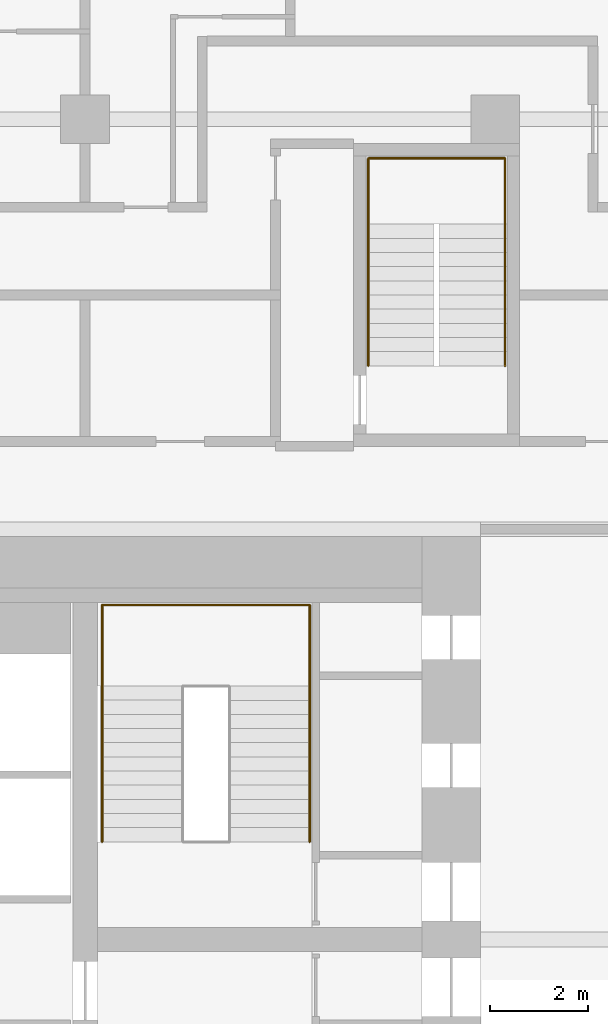
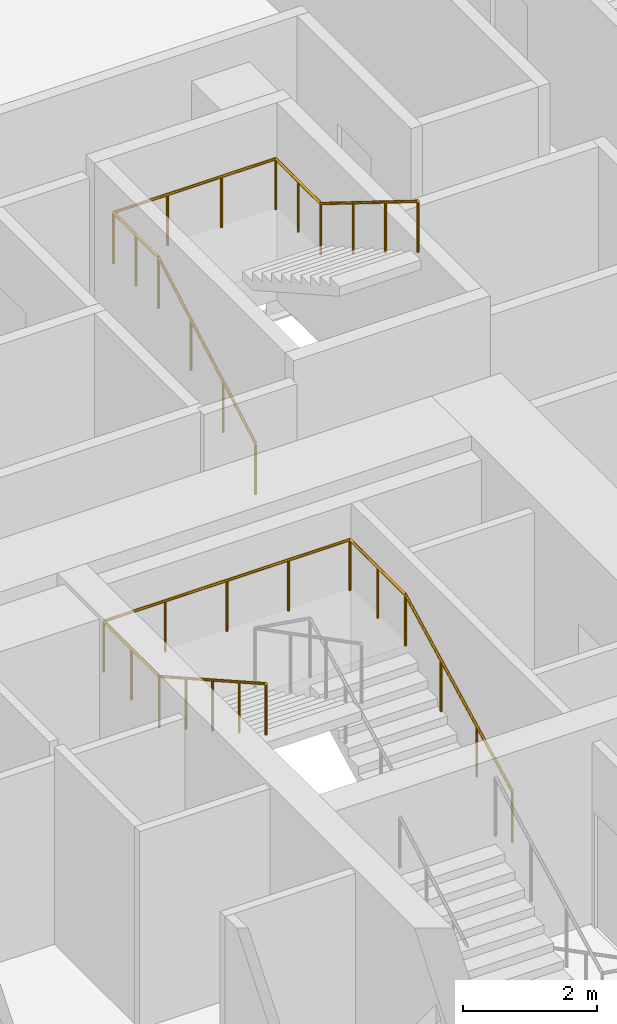
# One storey, part 26 of 26: 2 railings.
"""IFC4 building model written with IfcOpenShell, lengths in metres."""

from ifc_helpers import new_model, si_unit, direction, frame, origin, origin_2d, place, context, subcontext, project, spatial, circle, extrude, material, type_object, element, save


model = new_model("IFC4")

# Units and contexts
model_context = context("Model", 3, precision=1e-05, world=origin(), true_north=direction((0.0, 1.0)))
body_context = subcontext(model_context, "Body", "Model", "MODEL_VIEW")
ifc_project = project(units=[si_unit("LENGTHUNIT", "METRE"), si_unit("AREAUNIT", "SQUARE_METRE"), si_unit("VOLUMEUNIT", "CUBIC_METRE"), si_unit("PLANEANGLEUNIT", "RADIAN"), si_unit("MASSUNIT", "GRAM", prefix="KILO")], contexts=[model_context])

# Site, building, storey
site_placement = place(None, origin())
site = spatial("IfcSite", under=ifc_project, at=site_placement, CompositionType="ELEMENT")
building_placement = place(site_placement, origin())
building = spatial("IfcBuilding", under=site, at=building_placement, Name="Marenta Gate Hotel Tower", CompositionType="ELEMENT")
storey_placement = place(building_placement, frame((0.0, 0.0, 58.10009765625)))
storey = spatial("IfcBuildingStorey", under=building, at=storey_placement, Name="L12", CompositionType="ELEMENT", Elevation=58.10009765625)

# Railings
ifc_material = material(Name="Stainless steel", Category="steel")
railing_type = type_object("IfcRailingType", Name="Core stair handrail 950", PredefinedType="HANDRAIL", material=ifc_material)
railing_1_placement = place(storey_placement, frame((8.800048828125, 10.39990234375, 0.14990234375)))
element("IfcRailing", 1, at=railing_1_placement, inside=storey, type_object=railing_type, Name="HR-950 L12-KR-ST4-1", PredefinedType="HANDRAIL", context=body_context, shape_type="SweptSolid", body=[
    extrude(circle(Radius=0.02392578125, at=origin_2d()), frame((0.0, 0.0, 0.92578125), z_axis=(0.0, 0.888239641807, 0.459380385653), x_axis=(-1.0, 0.0, 0.0)), (0.0, 0.0, 1.0), 3.591552734375),
    extrude(circle(Radius=0.02392578125, at=origin_2d()), frame((0.0, 3.190185546875, 2.57568359375), z_axis=(0.0, 1.0, 0.0), x_axis=(-1.0, 0.0, 0.0)), (0.0, 0.0, 1.0), 1.659912109375),
    extrude(circle(Radius=0.02392578125, at=origin_2d()), frame((0.0, 4.85009765625, 2.57568359375), z_axis=(-1.0, 0.0, 0.0), x_axis=(0.0, -1.0, 0.0)), (0.0, 0.0, 1.0), 4.25),
    extrude(circle(Radius=0.02392578125, at=origin_2d()), frame((-4.25, 4.85009765625, 2.57568359375), z_axis=(0.0, -1.0, 0.0), x_axis=(1.0, 0.0, 0.0)), (0.0, 0.0, 1.0), 1.659912109375),
    extrude(circle(Radius=0.02392578125, at=origin_2d()), frame((-4.25, 3.190185546875, 2.57568359375), z_axis=(0.0, -0.870925075533, 0.491415824742), x_axis=(1.0, 0.0, 0.0)), (0.0, 0.0, 1.0), 3.6630859375),
    extrude(circle(Radius=0.02099609375, at=origin_2d()), origin(), (0.0, 0.0, 1.0), 0.90185546875),
    extrude(circle(Radius=0.02099609375, at=origin_2d()), frame((0.0, 1.0634765625, 0.550048828125)), (0.0, 0.0, 1.0), 0.90185546875),
    extrude(circle(Radius=0.02099609375, at=origin_2d()), frame((0.0, 2.126708984375, 1.099853515625)), (0.0, 0.0, 1.0), 0.90185546875),
    extrude(circle(Radius=0.02099609375, at=origin_2d()), frame((0.0, 3.190185546875, 1.64990234375)), (0.0, 0.0, 1.0), 0.90185546875),
    extrude(circle(Radius=0.02099609375, at=origin_2d()), frame((0.0, 4.02001953125, 1.64990234375)), (0.0, 0.0, 1.0), 0.90185546875),
    extrude(circle(Radius=0.02099609375, at=origin_2d()), frame((0.0, 4.85009765625, 1.64990234375)), (0.0, 0.0, 1.0), 0.90185546875),
    extrude(circle(Radius=0.02099609375, at=origin_2d()), frame((-1.0625, 4.85009765625, 1.64990234375)), (0.0, 0.0, 1.0), 0.90185546875),
    extrude(circle(Radius=0.02099609375, at=origin_2d()), frame((-2.125, 4.85009765625, 1.64990234375)), (0.0, 0.0, 1.0), 0.90185546875),
    extrude(circle(Radius=0.02099609375, at=origin_2d()), frame((-3.1875, 4.85009765625, 1.64990234375)), (0.0, 0.0, 1.0), 0.90185546875),
    extrude(circle(Radius=0.02099609375, at=origin_2d()), frame((-4.25, 4.85009765625, 1.64990234375)), (0.0, 0.0, 1.0), 0.90185546875),
    extrude(circle(Radius=0.02099609375, at=origin_2d()), frame((-4.25, 4.02001953125, 1.64990234375)), (0.0, 0.0, 1.0), 0.90185546875),
    extrude(circle(Radius=0.02099609375, at=origin_2d()), frame((-4.25, 3.190185546875, 1.64990234375)), (0.0, 0.0, 1.0), 0.90185546875),
    extrude(circle(Radius=0.02099609375, at=origin_2d()), frame((-4.25, 2.392578125, 2.099853515625)), (0.0, 0.0, 1.0), 0.90185546875),
    extrude(circle(Radius=0.02099609375, at=origin_2d()), frame((-4.25, 1.59521484375, 2.5498046875)), (0.0, 0.0, 1.0), 0.90185546875),
    extrude(circle(Radius=0.02099609375, at=origin_2d()), frame((-4.25, 0.797607421875, 3.0)), (0.0, 0.0, 1.0), 0.90185546875),
    extrude(circle(Radius=0.02099609375, at=origin_2d()), frame((-4.25, 0.0, 3.449951171875)), (0.0, 0.0, 1.0), 0.90185546875),
])
railing_2_placement = place(storey_placement, frame((10.0, 20.14990234375, 0.16357421875)))
element("IfcRailing", 2, at=railing_2_placement, inside=storey, type_object=railing_type, Name="HR-950 L12-RS-Z1-4-KR-1", PredefinedType="HANDRAIL", context=body_context, shape_type="SweptSolid", body=[
    extrude(circle(Radius=0.02392578125, at=origin_2d()), frame((0.0, 0.0, 0.92578125), z_axis=(0.0, 0.870946286338, 0.49137823142), x_axis=(-1.0, 0.0, 0.0)), (0.0, 0.0, 1.0), 3.329833984375),
    extrude(circle(Radius=0.02392578125, at=origin_2d()), frame((0.0, 2.900146484375, 2.56201171875), z_axis=(0.0, 1.0, 0.0), x_axis=(-1.0, 0.0, 0.0)), (0.0, 0.0, 1.0), 1.349853515625),
    extrude(circle(Radius=0.02392578125, at=origin_2d()), frame((0.0, 4.25, 2.56201171875), z_axis=(1.0, 0.0, 0.0), x_axis=(0.0, 1.0, 0.0)), (0.0, 0.0, 1.0), 2.800048828125),
    extrude(circle(Radius=0.02392578125, at=origin_2d()), frame((2.800048828125, 4.25, 2.56201171875), z_axis=(0.0, -1.0, 0.0), x_axis=(1.0, 0.0, 0.0)), (0.0, 0.0, 1.0), 1.349853515625),
    extrude(circle(Radius=0.02392578125, at=origin_2d()), frame((2.800048828125, 2.900146484375, 2.56201171875), z_axis=(0.0, -0.849645691689, 0.527353959494), x_axis=(1.0, 0.0, 0.0)), (0.0, 0.0, 1.0), 3.413330078125),
    extrude(circle(Radius=0.02099609375, at=origin_2d()), origin(), (0.0, 0.0, 1.0), 0.90185546875),
    extrude(circle(Radius=0.02099609375, at=origin_2d()), frame((0.0, 0.966796875, 0.54541015625)), (0.0, 0.0, 1.0), 0.90185546875),
    extrude(circle(Radius=0.02099609375, at=origin_2d()), frame((0.0, 1.933349609375, 1.0908203125)), (0.0, 0.0, 1.0), 0.90185546875),
    extrude(circle(Radius=0.02099609375, at=origin_2d()), frame((0.0, 2.900146484375, 1.63623046875)), (0.0, 0.0, 1.0), 0.90185546875),
    extrude(circle(Radius=0.02099609375, at=origin_2d()), frame((0.0, 3.5751953125, 1.63623046875)), (0.0, 0.0, 1.0), 0.90185546875),
    extrude(circle(Radius=0.02099609375, at=origin_2d()), frame((0.0, 4.25, 1.63623046875)), (0.0, 0.0, 1.0), 0.90185546875),
    extrude(circle(Radius=0.02099609375, at=origin_2d()), frame((0.933349609375, 4.25, 1.63623046875)), (0.0, 0.0, 1.0), 0.90185546875),
    extrude(circle(Radius=0.02099609375, at=origin_2d()), frame((1.86669921875, 4.25, 1.63623046875)), (0.0, 0.0, 1.0), 0.90185546875),
    extrude(circle(Radius=0.02099609375, at=origin_2d()), frame((2.800048828125, 4.25, 1.63623046875)), (0.0, 0.0, 1.0), 0.90185546875),
    extrude(circle(Radius=0.02099609375, at=origin_2d()), frame((2.800048828125, 3.5751953125, 1.63623046875)), (0.0, 0.0, 1.0), 0.90185546875),
    extrude(circle(Radius=0.02099609375, at=origin_2d()), frame((2.800048828125, 2.900146484375, 1.63623046875)), (0.0, 0.0, 1.0), 0.90185546875),
    extrude(circle(Radius=0.02099609375, at=origin_2d()), frame((2.800048828125, 1.933349609375, 2.236328125)), (0.0, 0.0, 1.0), 0.90185546875),
    extrude(circle(Radius=0.02099609375, at=origin_2d()), frame((2.800048828125, 0.966796875, 2.836181640625)), (0.0, 0.0, 1.0), 0.90185546875),
    extrude(circle(Radius=0.02099609375, at=origin_2d()), frame((2.800048828125, 0.0, 3.436279296875)), (0.0, 0.0, 1.0), 0.90185546875),
])

save(model, "model.ifc")
